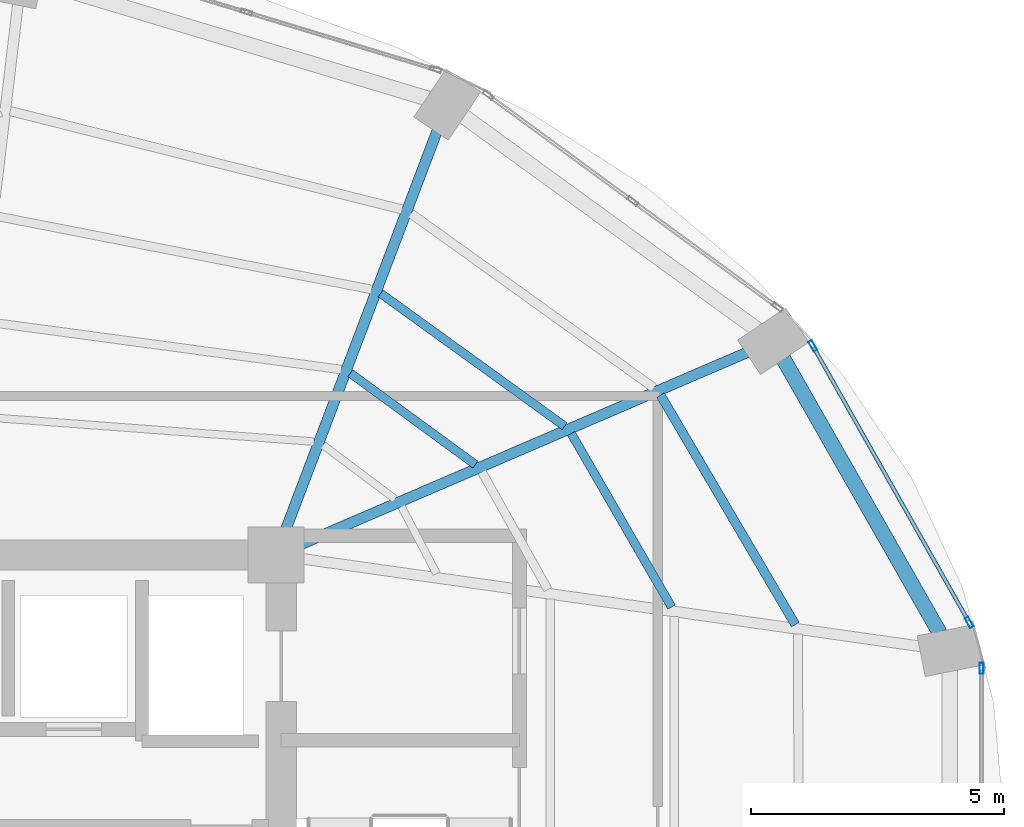
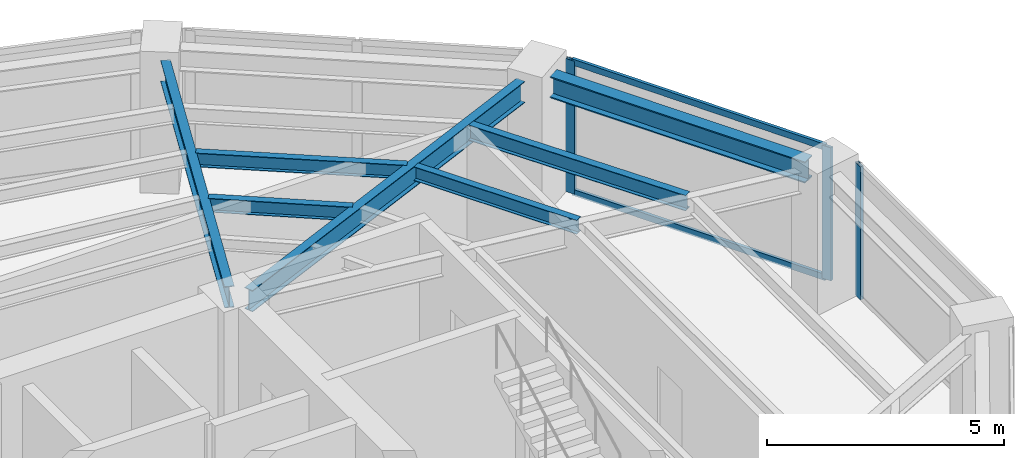
# One storey, part 11 of 20: 7 beams, 5 members, 2 elements without a shape of their own.
"""IFC4 building model written with IfcOpenShell, lengths in metres."""

from ifc_helpers import new_model, si_unit, direction, frame, origin, origin_2d, place, context, subcontext, project, spatial, hollow_rectangle, i_section, extrude, material, layer, layer_set, material_profile, profile_set, type_object, element, aggregate, save


model = new_model("IFC4")

# Units and contexts
model_context = context("Model", 3, precision=1e-05, world=origin(), true_north=direction((0.0, 1.0)))
body_context = subcontext(model_context, "Body", "Model", "MODEL_VIEW")
ifc_project = project(units=[si_unit("LENGTHUNIT", "METRE"), si_unit("AREAUNIT", "SQUARE_METRE"), si_unit("VOLUMEUNIT", "CUBIC_METRE"), si_unit("PLANEANGLEUNIT", "RADIAN"), si_unit("MASSUNIT", "GRAM", prefix="KILO")], contexts=[model_context])

# Site, building, storey
site_placement = place(None, origin())
site = spatial("IfcSite", under=ifc_project, at=site_placement, CompositionType="ELEMENT")
building_placement = place(site_placement, origin())
building = spatial("IfcBuilding", under=site, at=building_placement, Name="Lazwardi Medical Tower", CompositionType="ELEMENT")
storey_placement = place(building_placement, frame((0.0, 0.0, 178.416015625)))
storey = spatial("IfcBuildingStorey", under=building, at=storey_placement, Name="L46", CompositionType="ELEMENT", Elevation=178.416015625)

# Beams
ifc_material_1 = material(Name="Steel S355", Category="steel")
ifc_material_profile_1 = material_profile(ifc_material_1, i_section(OverallWidth=0.300048828125, OverallDepth=0.550048828125, WebThickness=0.014892578125, FlangeThickness=0.029052734375, at=origin_2d()), Name="HEB 550")
ifc_profile_set_1 = profile_set([ifc_material_profile_1], Name="Steel S355")
beam_type_1 = type_object("IfcBeamType", Name="BM-RB-Z3", PredefinedType="BEAM", material=ifc_profile_set_1)
beam_1_placement = place(storey_placement, frame((58.727783203125, 34.05908203125, 3.153076171875), z_axis=(-0.495460926326, 0.868630226554, 0.0), x_axis=(-0.868630226554, -0.495460926326, 0.0)))
element("IfcBeam", 1, at=beam_1_placement, inside=storey, type_object=beam_type_1, Name="Ring beam RB-04 B05 L46", PredefinedType="BEAM", context=body_context, shape_type="SweptSolid", body=[
    extrude(i_section(OverallWidth=0.300048828125, OverallDepth=0.550048828125, WebThickness=0.014892578125, FlangeThickness=0.029052734375, at=origin_2d()), origin(), (0.0, 0.0, 1.0), 6.24462890625),
])
ifc_material_profile_2 = material_profile(ifc_material_1, i_section(OverallWidth=0.2099609375, OverallDepth=0.550048828125, WebThickness=0.010986328125, FlangeThickness=0.01708984375, at=origin_2d()), Name="IPE 550")
ifc_profile_set_2 = profile_set([ifc_material_profile_2], Name="Steel S355")
beam_type_2 = type_object("IfcBeamType", Name="BM-RG-W2", PredefinedType="BEAM", material=ifc_profile_set_2)
beam_2_placement = place(storey_placement, frame((54.921142578125, 39.609619140625, 3.153076171875), z_axis=(-0.918608156288, -0.395169653695, 0.0), x_axis=(0.395169653695, -0.918608156288, 0.0)))
element("IfcBeam", 2, at=beam_2_placement, inside=storey, type_object=beam_type_2, Name="Radial girder RG-03 R06 L46", PredefinedType="BEAM", context=body_context, shape_type="SweptSolid", body=[
    extrude(i_section(OverallWidth=0.2099609375, OverallDepth=0.550048828125, WebThickness=0.010986328125, FlangeThickness=0.01708984375, at=origin_2d()), origin(), (0.0, 0.0, 1.0), 9.61181640625),
])
beam_3_placement = place(storey_placement, frame((48.78759765625, 43.99072265625, 3.153076171875), z_axis=(-0.355126771712, -0.934818151307, 0.0), x_axis=(0.934818151307, -0.355126771712, 0.0)))
element("IfcBeam", 3, at=beam_3_placement, inside=storey, type_object=beam_type_2, Name="Radial girder RG-03 R07 L46", PredefinedType="BEAM", context=body_context, shape_type="SweptSolid", body=[
    extrude(i_section(OverallWidth=0.2099609375, OverallDepth=0.550048828125, WebThickness=0.010986328125, FlangeThickness=0.01708984375, at=origin_2d()), origin(), (0.0, 0.0, 1.0), 8.44091796875),
])
ifc_material_profile_3 = material_profile(ifc_material_1, i_section(OverallWidth=0.179931640625, OverallDepth=0.39990234375, WebThickness=0.008544921875, FlangeThickness=0.013427734375, at=origin_2d()), Name="IPE 400")
ifc_profile_set_3 = profile_set([ifc_material_profile_3], Name="Steel S355")
beam_type_3 = type_object("IfcBeamType", Name="BM-SJ-01", PredefinedType="JOIST", material=ifc_profile_set_3)
beam_4_placement = place(storey_placement, frame((55.872314453125, 34.223388671875, 3.22802734375), z_axis=(-0.506420212881, 0.862286824662, 0.0), x_axis=(-0.862286824662, -0.506420212881, 0.0)))
element("IfcBeam", 4, at=beam_4_placement, inside=storey, type_object=beam_type_3, Name="Secondary joist SJ-01 R1 B05 L46", PredefinedType="JOIST", context=body_context, shape_type="SweptSolid", body=[
    extrude(i_section(OverallWidth=0.179931640625, OverallDepth=0.39990234375, WebThickness=0.008544921875, FlangeThickness=0.013427734375, at=origin_2d()), origin(), (0.0, 0.0, 1.0), 5.265380859375),
])
ifc_material_profile_4 = material_profile(ifc_material_1, i_section(OverallWidth=0.169921875, OverallDepth=0.360107421875, WebThickness=0.008056640625, FlangeThickness=0.0126953125, at=origin_2d()), Name="IPE 360")
ifc_profile_set_4 = profile_set([ifc_material_profile_4], Name="Steel S355")
beam_type_4 = type_object("IfcBeamType", Name="BM-SJ-02", PredefinedType="JOIST", material=ifc_profile_set_4)
beam_5_placement = place(storey_placement, frame((53.4248046875, 34.57080078125, 3.248046875), z_axis=(-0.500640648605, 0.865655209055, 0.0), x_axis=(-0.865655209055, -0.500640648605, 0.0)))
element("IfcBeam", 5, at=beam_5_placement, inside=storey, type_object=beam_type_4, Name="Secondary joist SJ-02 R2 B05 L46", PredefinedType="JOIST", context=body_context, shape_type="SweptSolid", body=[
    extrude(i_section(OverallWidth=0.169921875, OverallDepth=0.360107421875, WebThickness=0.008056640625, FlangeThickness=0.0126953125, at=origin_2d()), origin(), (0.0, 0.0, 1.0), 3.965576171875),
])
beam_6_placement = place(storey_placement, frame((51.30810546875, 38.148681640625, 3.248046875), z_axis=(-0.810738039179, 0.585409114917, 0.0), x_axis=(-0.585409114917, -0.810738039179, 0.0)))
element("IfcBeam", 6, at=beam_6_placement, inside=storey, type_object=beam_type_4, Name="Secondary joist SJ-02 R2 B06 L46", PredefinedType="JOIST", context=body_context, shape_type="SweptSolid", body=[
    extrude(i_section(OverallWidth=0.169921875, OverallDepth=0.360107421875, WebThickness=0.008056640625, FlangeThickness=0.0126953125, at=origin_2d()), origin(), (0.0, 0.0, 1.0), 4.48779296875),
])
beam_7_placement = place(storey_placement, frame((49.54248046875, 37.3896484375, 3.248046875), z_axis=(-0.807285959008, 0.590160470033, 0.0), x_axis=(-0.590160470033, -0.807285959008, 0.0)))
element("IfcBeam", 7, at=beam_7_placement, inside=storey, type_object=beam_type_4, Name="Secondary joist SJ-02 R3 B06 L46", PredefinedType="JOIST", context=body_context, shape_type="SweptSolid", body=[
    extrude(i_section(OverallWidth=0.169921875, OverallDepth=0.360107421875, WebThickness=0.008056640625, FlangeThickness=0.0126953125, at=origin_2d()), origin(), (0.0, 0.0, 1.0), 3.06298828125),
])

# Curtain wall, member
ifc_material_2 = material(Name="Anodised bronze aluminium and solar control glazing", Category="aluminium")
ifc_layer = layer(ifc_material_2, 0.195068359375)
ifc_layer_set = layer_set([ifc_layer], Name="Anodised bronze aluminium and solar control glazing")
curtain_wall_type = type_object("IfcCurtainWallType", Name="CW-SYS-03", PredefinedType="NOTDEFINED", material=ifc_layer_set)
curtain_wall_1_placement = place(storey_placement, origin())
curtain_wall_1 = element("IfcCurtainWall", 8, at=curtain_wall_1_placement, inside=storey, type_object=curtain_wall_type, Name="L46 Unitised bronze curtain wall CW-03", PredefinedType="NOTDEFINED")
ifc_material_3 = material(Name="Anodised bronze aluminium", Category="aluminium")
ifc_material_profile_5 = material_profile(ifc_material_3, hollow_rectangle(XDim=0.074951171875, YDim=0.219970703125, WallThickness=0.00390625, at=origin_2d()), Name="ALU-MULLION 220x75x4")
ifc_profile_set_5 = profile_set([ifc_material_profile_5], Name="Anodised bronze aluminium")
member_type_1 = type_object("IfcMemberType", Name="CW-MUL-01", PredefinedType="MULLION", material=ifc_profile_set_5)
member_1_placement = place(storey_placement, frame((59.5576171875, 33.35791015625, 0.0), z_axis=(0.0, 0.0, 1.0), x_axis=(-1.0, 0.0, 0.0)))
member_1 = element("IfcMember", 9, at=member_1_placement, type_object=member_type_1, Name="CW-03 mullion 2", PredefinedType="MULLION", context=body_context, shape_type="SweptSolid", body=[
    extrude(hollow_rectangle(XDim=0.074951171875, YDim=0.219970703125, WallThickness=0.00390625, at=origin_2d()), origin(), (0.0, 0.0, 1.0), 3.427978515625),
])
aggregate(curtain_wall_1, [member_1])

# Curtain wall, members
curtain_wall_2_placement = place(storey_placement, origin())
curtain_wall_2 = element("IfcCurtainWall", 10, at=curtain_wall_2_placement, inside=storey, type_object=curtain_wall_type, Name="L46 Unitised bronze curtain wall CW-03", PredefinedType="NOTDEFINED")
member_2_placement = place(storey_placement, frame((59.31103515625, 34.267333984375, 0.0), z_axis=(0.0, 0.0, 1.0), x_axis=(-0.870418989303, -0.492311672683, 0.0)))
member_2 = element("IfcMember", 11, at=member_2_placement, type_object=member_type_1, Name="CW-03 mullion 1", PredefinedType="MULLION", context=body_context, shape_type="SweptSolid", body=[
    extrude(hollow_rectangle(XDim=0.074951171875, YDim=0.219970703125, WallThickness=0.00390625, at=origin_2d()), origin(), (0.0, 0.0, 1.0), 3.427978515625),
])
member_3_placement = place(storey_placement, frame((56.217529296875, 39.73681640625, 0.0), z_axis=(0.0, 0.0, 1.0), x_axis=(-0.870418989303, -0.492311672683, 0.0)))
member_3 = element("IfcMember", 12, at=member_3_placement, type_object=member_type_1, Name="CW-03 mullion 2", PredefinedType="MULLION", context=body_context, shape_type="SweptSolid", body=[
    extrude(hollow_rectangle(XDim=0.074951171875, YDim=0.219970703125, WallThickness=0.00390625, at=origin_2d()), origin(), (0.0, 0.0, 1.0), 3.427978515625),
])
ifc_material_profile_6 = material_profile(ifc_material_3, hollow_rectangle(XDim=0.074951171875, YDim=0.159912109375, WallThickness=0.00390625, at=origin_2d()), Name="ALU-TRANSOM 160x75x4")
ifc_profile_set_6 = profile_set([ifc_material_profile_6], Name="Anodised bronze aluminium")
member_type_2 = type_object("IfcMemberType", Name="CW-TRN-01", PredefinedType="USERDEFINED", material=ifc_profile_set_6)
member_4_placement = place(storey_placement, frame((59.292724609375, 34.2998046875, 0.03759765625), z_axis=(-0.492306010269, 0.870422191958, 0.0), x_axis=(-0.870422191958, -0.492306010269, 0.0)))
member_4 = element("IfcMember", 13, at=member_4_placement, type_object=member_type_2, Name="CW-03 transom 1.1", ObjectType="TRANSOM", PredefinedType="USERDEFINED", context=body_context, shape_type="SweptSolid", body=[
    extrude(hollow_rectangle(XDim=0.074951171875, YDim=0.159912109375, WallThickness=0.00390625, at=origin_2d()), origin(), (0.0, 0.0, 1.0), 6.208740234375),
])
member_5_placement = place(storey_placement, frame((59.292724609375, 34.2998046875, 3.390380859375), z_axis=(-0.492306010269, 0.870422191958, 0.0), x_axis=(-0.870422191958, -0.492306010269, 0.0)))
member_5 = element("IfcMember", 14, at=member_5_placement, type_object=member_type_2, Name="CW-03 transom 1.2", ObjectType="TRANSOM", PredefinedType="USERDEFINED", context=body_context, shape_type="SweptSolid", body=[
    extrude(hollow_rectangle(XDim=0.074951171875, YDim=0.159912109375, WallThickness=0.00390625, at=origin_2d()), origin(), (0.0, 0.0, 1.0), 6.208740234375),
])
aggregate(curtain_wall_2, [member_2, member_3, member_4, member_5])

save(model, "model.ifc")
